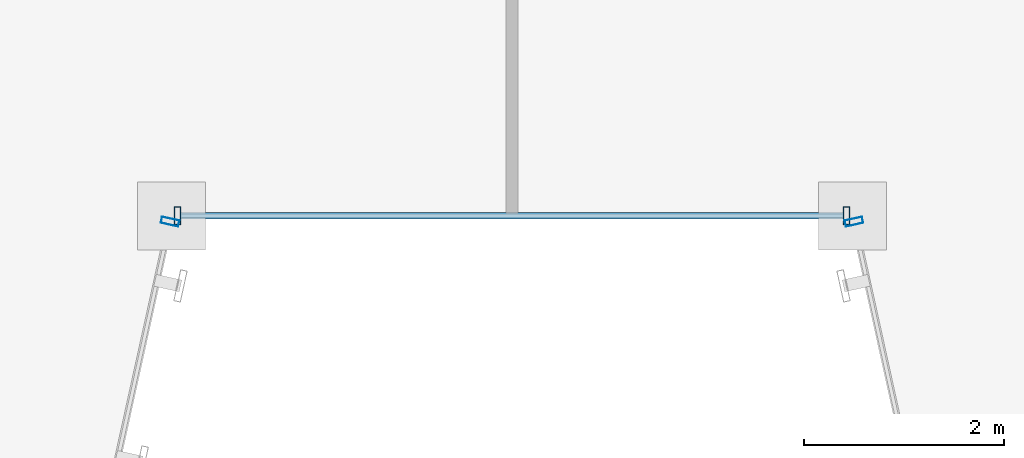
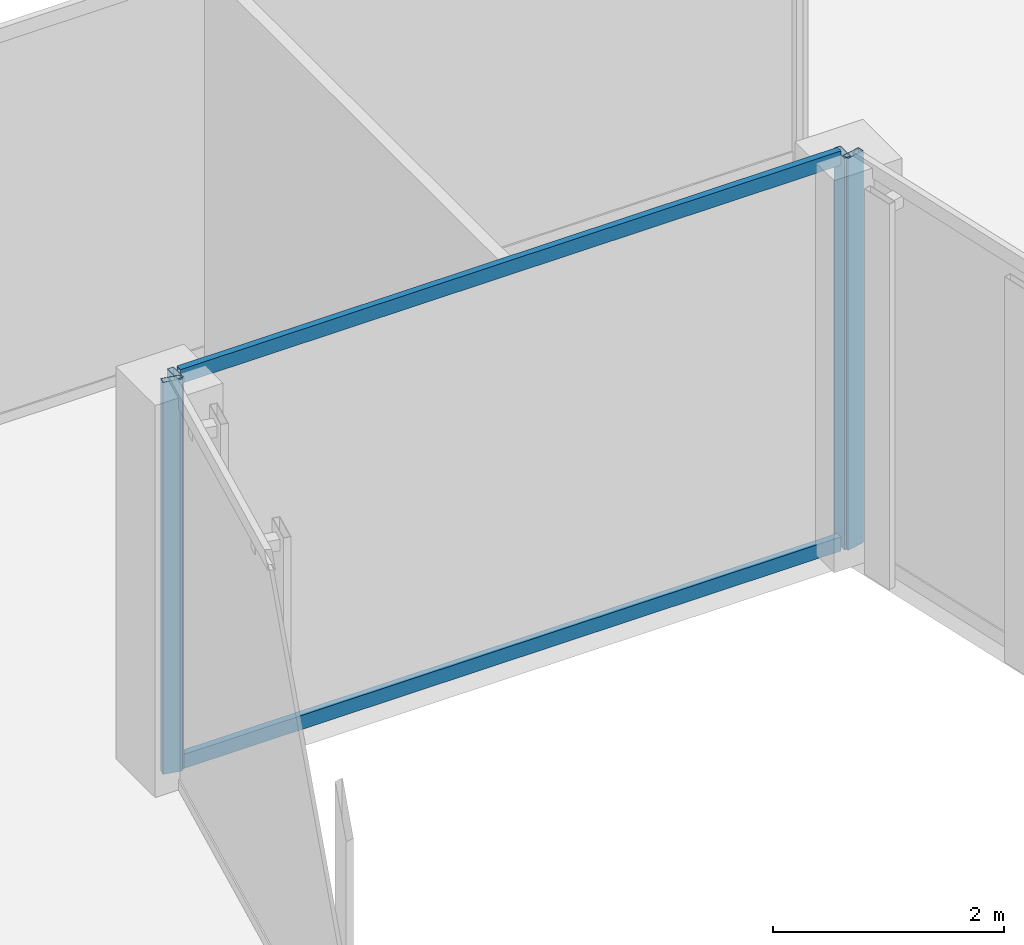
# One storey, part 9 of 47: 6 members, 3 elements without a shape of their own.
"""IFC4 building model written with IfcOpenShell, lengths in metres."""

from ifc_helpers import new_model, si_unit, direction, frame, origin, origin_2d, place, context, subcontext, project, spatial, hollow_rectangle, extrude, material, material_profile, profile_set, type_object, element, aggregate, save


model = new_model("IFC4")

# Units and contexts
model_context = context("Model", 3, precision=1e-05, world=origin(), true_north=direction((0.0, 1.0)))
body_context = subcontext(model_context, "Body", "Model", "MODEL_VIEW")
ifc_project = project(units=[si_unit("LENGTHUNIT", "METRE"), si_unit("AREAUNIT", "SQUARE_METRE"), si_unit("VOLUMEUNIT", "CUBIC_METRE"), si_unit("PLANEANGLEUNIT", "RADIAN"), si_unit("MASSUNIT", "GRAM", prefix="KILO")], contexts=[model_context])

# Site, building, storey
site_placement = place(None, origin())
site = spatial("IfcSite", under=ifc_project, at=site_placement, CompositionType="ELEMENT")
building_placement = place(site_placement, origin())
building = spatial("IfcBuilding", under=site, at=building_placement, Name="Saevonmaru Cultural Tower", CompositionType="ELEMENT")
storey_placement = place(building_placement, frame((0.0, 0.0, 47.199951171875)))
storey = spatial("IfcBuildingStorey", under=building, at=storey_placement, Name="L09", CompositionType="ELEMENT", Elevation=47.199951171875)

# Curtain wall, member
ifc_material = material(Name="Satin Bronze Anodised Aluminium", Category="aluminium")
curtain_wall_type = type_object("IfcCurtainWallType", Name="CW-TYP-A", PredefinedType="NOTDEFINED", material=ifc_material)
curtain_wall_1_placement = place(storey_placement, origin())
curtain_wall_1 = element("IfcCurtainWall", 1, at=curtain_wall_1_placement, inside=storey, type_object=curtain_wall_type, Name="L09 Unitised Curtain Wall E3", PredefinedType="NOTDEFINED")
ifc_material_profile_1 = material_profile(ifc_material, hollow_rectangle(XDim=0.06494140625, YDim=0.179931640625, WallThickness=0.00390625, at=origin_2d()), Name="ALU-MULL-180x65x4")
ifc_profile_set_1 = profile_set([ifc_material_profile_1], Name="Satin Bronze Anodised Aluminium")
member_type_1 = type_object("IfcMemberType", Name="ML-CW-180x65", PredefinedType="MULLION", material=ifc_profile_set_1)
member_1_placement = place(storey_placement, frame((26.587158203125, 15.54150390625, 0.0), z_axis=(0.0, 0.0, 1.0), x_axis=(0.215413319953, 0.976522965212, 0.0)))
member_1 = element("IfcMember", 2, at=member_1_placement, type_object=member_type_1, Name="CW-TW-L09-E3 mullion 2", PredefinedType="MULLION", context=body_context, shape_type="SweptSolid", body=[
    extrude(hollow_rectangle(XDim=0.06494140625, YDim=0.179931640625, WallThickness=0.00390625, at=origin_2d()), origin(), (0.0, 0.0, 1.0), 4.150146484375),
])
aggregate(curtain_wall_1, [member_1])

# Curtain wall, members
curtain_wall_2_placement = place(storey_placement, origin())
curtain_wall_2 = element("IfcCurtainWall", 3, at=curtain_wall_2_placement, inside=storey, type_object=curtain_wall_type, Name="L09 Unitised Curtain Wall E4", PredefinedType="NOTDEFINED")
member_2_placement = place(storey_placement, frame((26.659912109375, 15.60009765625, 0.0), z_axis=(0.0, 0.0, 1.0), x_axis=(1.0, 0.0, 0.0)))
member_2 = element("IfcMember", 4, at=member_2_placement, type_object=member_type_1, Name="CW-TW-L09-E4 mullion 1", PredefinedType="MULLION", context=body_context, shape_type="SweptSolid", body=[
    extrude(hollow_rectangle(XDim=0.06494140625, YDim=0.179931640625, WallThickness=0.00390625, at=origin_2d()), origin(), (0.0, 0.0, 1.0), 4.150146484375),
])
member_3_placement = place(storey_placement, frame((33.340087890625, 15.60009765625, 0.0), z_axis=(0.0, 0.0, 1.0), x_axis=(1.0, 0.0, 0.0)))
member_3 = element("IfcMember", 5, at=member_3_placement, type_object=member_type_1, Name="CW-TW-L09-E4 mullion 2", PredefinedType="MULLION", context=body_context, shape_type="SweptSolid", body=[
    extrude(hollow_rectangle(XDim=0.06494140625, YDim=0.179931640625, WallThickness=0.00390625, at=origin_2d()), origin(), (0.0, 0.0, 1.0), 4.150146484375),
])

# Curtain wall, member
curtain_wall_3_placement = place(storey_placement, origin())
curtain_wall_3 = element("IfcCurtainWall", 6, at=curtain_wall_3_placement, inside=storey, type_object=curtain_wall_type, Name="L09 Unitised Curtain Wall E5", PredefinedType="NOTDEFINED")
member_4_placement = place(storey_placement, frame((33.412841796875, 15.54150390625, 0.0), z_axis=(0.0, 0.0, 1.0), x_axis=(0.215413319953, -0.976522965212, 0.0)))
member_4 = element("IfcMember", 7, at=member_4_placement, type_object=member_type_1, Name="CW-TW-L09-E5 mullion 1", PredefinedType="MULLION", context=body_context, shape_type="SweptSolid", body=[
    extrude(hollow_rectangle(XDim=0.06494140625, YDim=0.179931640625, WallThickness=0.00390625, at=origin_2d()), origin(), (0.0, 0.0, 1.0), 4.150146484375),
])
aggregate(curtain_wall_3, [member_4])

# Member
ifc_material_profile_2 = material_profile(ifc_material, hollow_rectangle(XDim=0.06494140625, YDim=0.14990234375, WallThickness=0.00390625, at=origin_2d()), Name="ALU-TRAN-150x65x4")
ifc_profile_set_2 = profile_set([ifc_material_profile_2], Name="Satin Bronze Anodised Aluminium")
member_type_2 = type_object("IfcMemberType", Name="TR-CW-150x65", PredefinedType="USERDEFINED", material=ifc_profile_set_2)
member_5_placement = place(storey_placement, frame((26.6923828125, 15.60009765625, 0.032470703125), z_axis=(1.0, 0.0, 0.0), x_axis=(0.0, 1.0, 0.0)))
member_5 = element("IfcMember", 8, at=member_5_placement, type_object=member_type_2, Name="CW-TW-L09-E4 transom 1.1", ObjectType="TRANSOM", PredefinedType="USERDEFINED", context=body_context, shape_type="SweptSolid", body=[
    extrude(hollow_rectangle(XDim=0.06494140625, YDim=0.14990234375, WallThickness=0.00390625, at=origin_2d()), origin(), (0.0, 0.0, 1.0), 6.615234375),
])

member_6_placement = place(storey_placement, frame((26.6923828125, 15.60009765625, 4.117431640625), z_axis=(1.0, 0.0, 0.0), x_axis=(0.0, 1.0, 0.0)))
member_6 = element("IfcMember", 9, at=member_6_placement, type_object=member_type_2, Name="CW-TW-L09-E4 transom 1.2", ObjectType="TRANSOM", PredefinedType="USERDEFINED", context=body_context, shape_type="SweptSolid", body=[
    extrude(hollow_rectangle(XDim=0.06494140625, YDim=0.14990234375, WallThickness=0.00390625, at=origin_2d()), origin(), (0.0, 0.0, 1.0), 6.615234375),
])

aggregate(curtain_wall_2, [member_2, member_3, member_5, member_6])

save(model, "model.ifc")
